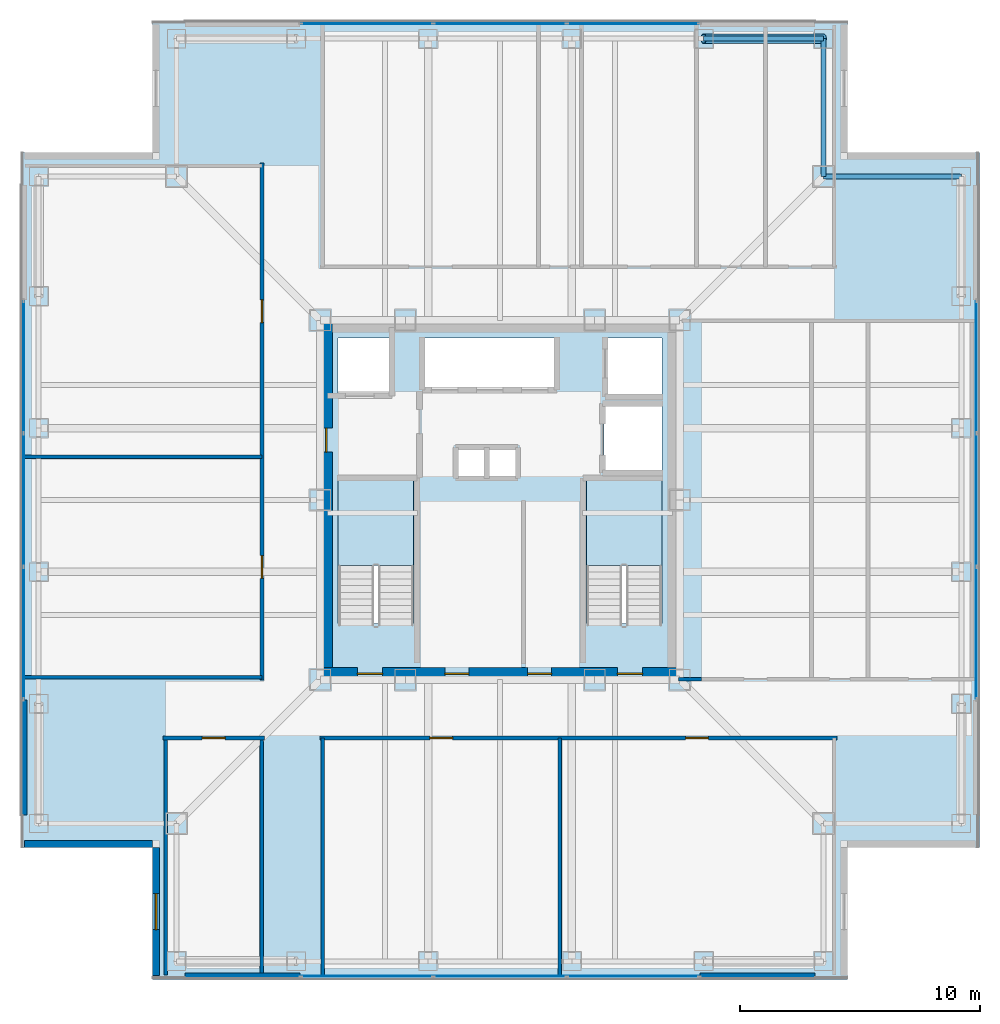
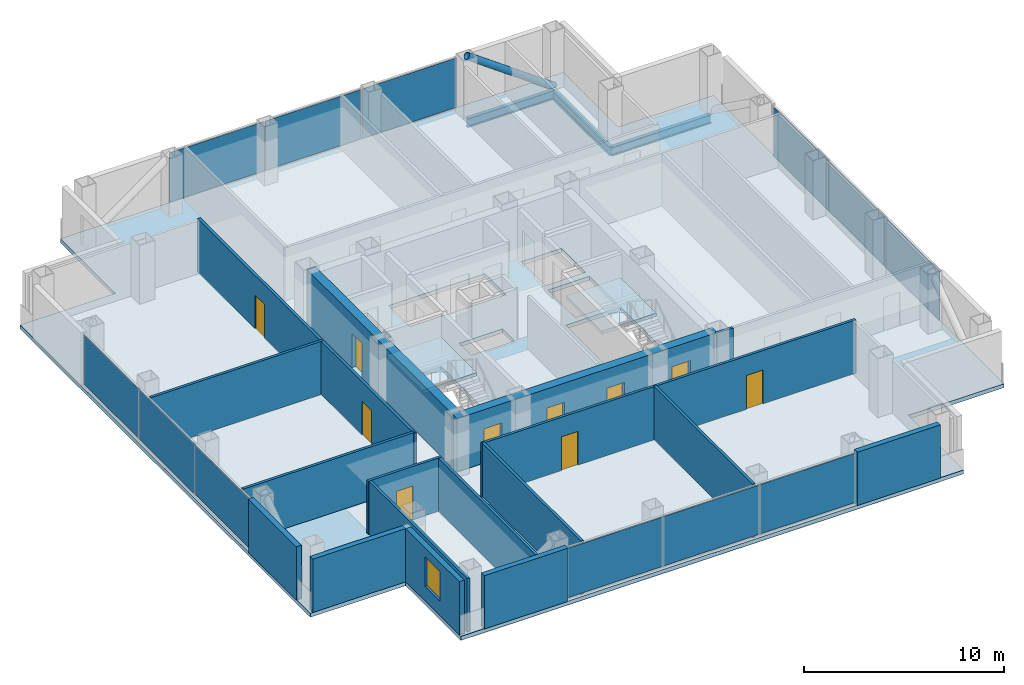
# One storey, part 8 of 16: 17 walls, 12 plates, 10 doors, 3 beams, 3 slabs, 1 member, 1 window, 11 openings, 6 elements without a shape of their own.
"""IFC4 building model written with IfcOpenShell, lengths in metres."""

from ifc_helpers import new_model, si_unit, direction, frame, frame_2d, origin, origin_2d, place, context, subcontext, project, spatial, polyline, rectangle, hollow_circle, i_section, outline, extrude, material, layer, layer_set, material_profile, profile_set, type_object, element, fill, aggregate, save


model = new_model("IFC4")

# Units and contexts
model_context = context("Model", 3, precision=1e-05, world=origin(), true_north=direction((0.0, 1.0)))
body_context = subcontext(model_context, "Body", "Model", "MODEL_VIEW")
ifc_project = project(units=[si_unit("LENGTHUNIT", "METRE"), si_unit("AREAUNIT", "SQUARE_METRE"), si_unit("VOLUMEUNIT", "CUBIC_METRE"), si_unit("PLANEANGLEUNIT", "RADIAN"), si_unit("MASSUNIT", "GRAM", prefix="KILO")], contexts=[model_context])

# Site, building, storey
site_placement = place(None, origin())
site = spatial("IfcSite", under=ifc_project, at=site_placement, CompositionType="ELEMENT")
building_placement = place(site_placement, origin())
building = spatial("IfcBuilding", under=site, at=building_placement, Name="Trevonay Congress Spire", CompositionType="ELEMENT")
storey_placement = place(building_placement, frame((0.0, 0.0, 223.800048828125)))
storey = spatial("IfcBuildingStorey", under=building, at=storey_placement, Name="L58", CompositionType="ELEMENT", Elevation=223.800048828125)

# Beams
ifc_material_1 = material(Name="Steel ASTM A572 Grade 50", Category="steel")
ifc_material_profile_1 = material_profile(ifc_material_1, i_section(OverallWidth=0.2119140625, OverallDepth=0.5439453125, WebThickness=0.01318359375, FlangeThickness=0.021240234375, FilletRadius=0.014892578125, at=origin_2d()), Name="W530x123")
ifc_profile_set_1 = profile_set([ifc_material_profile_1], Name="Steel ASTM A572 Grade 50")
beam_type = type_object("IfcBeamType", Name="BM-RING-W530X123", PredefinedType="BEAM", material=ifc_profile_set_1)
beam_placement = place(storey_placement, frame((8.5, 19.25, -0.511962890625), z_axis=(1.0, 0.0, 0.0), x_axis=(0.0, 1.0, 0.0)))
element("IfcBeam", 1, at=beam_placement, inside=storey, type_object=beam_type, Name="L58 structural beam BM-L58-PN5", PredefinedType="BEAM", context=body_context, shape_type="SweptSolid", body=[
    extrude(i_section(OverallWidth=0.2119140625, OverallDepth=0.5439453125, WebThickness=0.01318359375, FlangeThickness=0.021240234375, FilletRadius=0.014892578125, at=origin_2d()), origin(), (0.0, 0.0, 1.0), 5.0),
])
for number, where, z_axis, x_axis, name in (
    (2, (13.5, 19.25, -0.511962890625), (0.0, -1.0, 0.0), (1.0, 0.0, 0.0), "L58 structural beam BM-L58-N1NE"),
    (3, (19.25, 13.5, -0.511962890625), (-1.0, 0.0, 0.0), (0.0, -1.0, 0.0), "L58 structural beam BM-L58-N2NE"),
):
    element("IfcBeam", number, at=place(storey_placement, frame(where, z_axis=z_axis, x_axis=x_axis)), inside=storey, type_object=beam_type, Name=name, PredefinedType="BEAM", context=body_context, shape_type="SweptSolid", body=[
        extrude(i_section(OverallWidth=0.2119140625, OverallDepth=0.5439453125, WebThickness=0.01318359375, FlangeThickness=0.021240234375, FilletRadius=0.014892578125, at=origin_2d()), origin(), (0.0, 0.0, 1.0), 5.75),
    ])

# Member
ifc_material_2 = material(Name="Steel ASTM A500 Grade C", Category="steel")
ifc_material_profile_2 = material_profile(ifc_material_2, hollow_circle(Radius=0.203125, WallThickness=0.02001953125, at=origin_2d()), Name="CHS 406.4x20")
ifc_profile_set_2 = profile_set([ifc_material_profile_2], Name="Steel ASTM A500 Grade C")
member_type = type_object("IfcMemberType", Name="MBR-TUBE-CHS406", PredefinedType="BRACE", material=ifc_profile_set_2)
member_placement = place(storey_placement, frame((13.5, 19.25, -0.050048828125), z_axis=(-0.811526825515, 0.0, 0.584315164504), x_axis=(0.0, -1.0, 0.0)))
element("IfcMember", 4, at=member_placement, inside=storey, type_object=member_type, Name="L58 perimeter braced-tube diagonal N4", PredefinedType="BRACE", context=body_context, shape_type="SweptSolid", body=[
    extrude(hollow_circle(Radius=0.203125, WallThickness=0.02001953125, at=origin_2d()), origin(), (0.0, 0.0, 1.0), 6.1611328125),
])

# Curtain wall, plates
ifc_material_3 = material(Name="Pale Anodised Aluminium EN AW-6063-T6", Category="aluminium")
ifc_layer_1 = layer(ifc_material_3, 0.169921875, Name="Pale Anodised Aluminium EN AW-6063-T6")
ifc_layer_set_1 = layer_set([ifc_layer_1], Name="Pale Anodised Aluminium EN AW-6063-T6")
curtain_wall_type = type_object("IfcCurtainWallType", Name="CW-SYS04-CORP-PALE-METAL", PredefinedType="NOTDEFINED", material=ifc_layer_set_1)
curtain_wall_1_placement = place(storey_placement, origin())
curtain_wall_1 = element("IfcCurtainWall", 5, at=curtain_wall_1_placement, inside=storey, type_object=curtain_wall_type, Name="L58 S unitised curtain wall", PredefinedType="NOTDEFINED")
ifc_material_4 = material(Name="Insulated Low-E Vision Glass IGU", Category="glass")
ifc_layer_2 = layer(ifc_material_4, 0.035888671875, Name="Insulated Low-E Vision Glass IGU")
ifc_layer_set_2 = layer_set([ifc_layer_2], Name="Insulated Low-E Vision Glass IGU")
plate_type = type_object("IfcPlateType", Name="CW-PANEL-IGU36-SILVER", PredefinedType="CURTAIN_PANEL", material=ifc_layer_set_2)
plate_1_placement = place(storey_placement, frame((-5.5517578125, -19.8798828125, 0.1201171875), z_axis=(0.0, 0.0, 1.0), x_axis=(1.0, 0.0, 0.0)))
plate_1 = element("IfcPlate", 6, at=plate_1_placement, type_object=plate_type, Name="CW04 panel 1.1", PredefinedType="CURTAIN_PANEL", context=body_context, shape_type="SweptSolid", body=[
    extrude(rectangle(XDim=5.4765625, YDim=0.035888671875, at=origin_2d()), origin(), (0.0, 0.0, 1.0), 3.010009765625),
])
plate_2_placement = place(storey_placement, frame((0.0, -19.8798828125, 0.1201171875), z_axis=(0.0, 0.0, 1.0), x_axis=(1.0, 0.0, 0.0)))
plate_2 = element("IfcPlate", 7, at=plate_2_placement, type_object=plate_type, Name="CW04 panel 2.1", PredefinedType="CURTAIN_PANEL", context=body_context, shape_type="SweptSolid", body=[
    extrude(rectangle(XDim=5.506591796875, YDim=0.035888671875, at=origin_2d()), origin(), (0.0, 0.0, 1.0), 3.010009765625),
])
plate_3_placement = place(storey_placement, frame((5.5517578125, -19.8798828125, 0.1201171875), z_axis=(0.0, 0.0, 1.0), x_axis=(1.0, 0.0, 0.0)))
plate_3 = element("IfcPlate", 8, at=plate_3_placement, type_object=plate_type, Name="CW04 panel 3.1", PredefinedType="CURTAIN_PANEL", context=body_context, shape_type="SweptSolid", body=[
    extrude(rectangle(XDim=5.4765625, YDim=0.035888671875, at=origin_2d()), origin(), (0.0, 0.0, 1.0), 3.010009765625),
])
aggregate(curtain_wall_1, [plate_1, plate_2, plate_3])

curtain_wall_2_placement = place(storey_placement, origin())
curtain_wall_2 = element("IfcCurtainWall", 9, at=curtain_wall_2_placement, inside=storey, type_object=curtain_wall_type, Name="L58 N unitised curtain wall", PredefinedType="NOTDEFINED")
plate_4_placement = place(storey_placement, frame((-5.5517578125, 19.8798828125, 0.1201171875), z_axis=(0.0, 0.0, 1.0), x_axis=(1.0, 0.0, 0.0)))
plate_4 = element("IfcPlate", 10, at=plate_4_placement, type_object=plate_type, Name="CW04 panel 1.1", PredefinedType="CURTAIN_PANEL", context=body_context, shape_type="SweptSolid", body=[
    extrude(rectangle(XDim=5.4765625, YDim=0.035888671875, at=origin_2d()), origin(), (0.0, 0.0, 1.0), 3.010009765625),
])
plate_5_placement = place(storey_placement, frame((0.0, 19.8798828125, 0.1201171875), z_axis=(0.0, 0.0, 1.0), x_axis=(1.0, 0.0, 0.0)))
plate_5 = element("IfcPlate", 11, at=plate_5_placement, type_object=plate_type, Name="CW04 panel 2.1", PredefinedType="CURTAIN_PANEL", context=body_context, shape_type="SweptSolid", body=[
    extrude(rectangle(XDim=5.506591796875, YDim=0.035888671875, at=origin_2d()), origin(), (0.0, 0.0, 1.0), 3.010009765625),
])
plate_6_placement = place(storey_placement, frame((5.5517578125, 19.8798828125, 0.1201171875), z_axis=(0.0, 0.0, 1.0), x_axis=(1.0, 0.0, 0.0)))
plate_6 = element("IfcPlate", 12, at=plate_6_placement, type_object=plate_type, Name="CW04 panel 3.1", PredefinedType="CURTAIN_PANEL", context=body_context, shape_type="SweptSolid", body=[
    extrude(rectangle(XDim=5.4765625, YDim=0.035888671875, at=origin_2d()), origin(), (0.0, 0.0, 1.0), 3.010009765625),
])
aggregate(curtain_wall_2, [plate_4, plate_5, plate_6])

curtain_wall_3_placement = place(storey_placement, origin())
curtain_wall_3 = element("IfcCurtainWall", 13, at=curtain_wall_3_placement, inside=storey, type_object=curtain_wall_type, Name="L58 W unitised curtain wall", PredefinedType="NOTDEFINED")
plate_7_placement = place(storey_placement, frame((-19.8798828125, -5.5517578125, 0.1201171875), z_axis=(0.0, 0.0, 1.0), x_axis=(0.0, 1.0, 0.0)))
plate_7 = element("IfcPlate", 14, at=plate_7_placement, type_object=plate_type, Name="CW04 panel 1.1", PredefinedType="CURTAIN_PANEL", context=body_context, shape_type="SweptSolid", body=[
    extrude(rectangle(XDim=5.4765625, YDim=0.035888671875, at=origin_2d()), origin(), (0.0, 0.0, 1.0), 3.010009765625),
])
plate_8_placement = place(storey_placement, frame((-19.8798828125, 0.0, 0.1201171875), z_axis=(0.0, 0.0, 1.0), x_axis=(0.0, 1.0, 0.0)))
plate_8 = element("IfcPlate", 15, at=plate_8_placement, type_object=plate_type, Name="CW04 panel 2.1", PredefinedType="CURTAIN_PANEL", context=body_context, shape_type="SweptSolid", body=[
    extrude(rectangle(XDim=5.506591796875, YDim=0.035888671875, at=origin_2d()), origin(), (0.0, 0.0, 1.0), 3.010009765625),
])
plate_9_placement = place(storey_placement, frame((-19.8798828125, 5.5517578125, 0.1201171875), z_axis=(0.0, 0.0, 1.0), x_axis=(0.0, 1.0, 0.0)))
plate_9 = element("IfcPlate", 16, at=plate_9_placement, type_object=plate_type, Name="CW04 panel 3.1", PredefinedType="CURTAIN_PANEL", context=body_context, shape_type="SweptSolid", body=[
    extrude(rectangle(XDim=5.4765625, YDim=0.035888671875, at=origin_2d()), origin(), (0.0, 0.0, 1.0), 3.010009765625),
])
aggregate(curtain_wall_3, [plate_7, plate_8, plate_9])

curtain_wall_4_placement = place(storey_placement, origin())
curtain_wall_4 = element("IfcCurtainWall", 17, at=curtain_wall_4_placement, inside=storey, type_object=curtain_wall_type, Name="L58 E unitised curtain wall", PredefinedType="NOTDEFINED")
plate_10_placement = place(storey_placement, frame((19.8798828125, -5.5517578125, 0.1201171875), z_axis=(0.0, 0.0, 1.0), x_axis=(0.0, 1.0, 0.0)))
plate_10 = element("IfcPlate", 18, at=plate_10_placement, type_object=plate_type, Name="CW04 panel 1.1", PredefinedType="CURTAIN_PANEL", context=body_context, shape_type="SweptSolid", body=[
    extrude(rectangle(XDim=5.4765625, YDim=0.035888671875, at=origin_2d()), origin(), (0.0, 0.0, 1.0), 3.010009765625),
])
plate_11_placement = place(storey_placement, frame((19.8798828125, 0.0, 0.1201171875), z_axis=(0.0, 0.0, 1.0), x_axis=(0.0, 1.0, 0.0)))
plate_11 = element("IfcPlate", 19, at=plate_11_placement, type_object=plate_type, Name="CW04 panel 2.1", PredefinedType="CURTAIN_PANEL", context=body_context, shape_type="SweptSolid", body=[
    extrude(rectangle(XDim=5.506591796875, YDim=0.035888671875, at=origin_2d()), origin(), (0.0, 0.0, 1.0), 3.010009765625),
])
plate_12_placement = place(storey_placement, frame((19.8798828125, 5.5517578125, 0.1201171875), z_axis=(0.0, 0.0, 1.0), x_axis=(0.0, 1.0, 0.0)))
plate_12 = element("IfcPlate", 20, at=plate_12_placement, type_object=plate_type, Name="CW04 panel 3.1", PredefinedType="CURTAIN_PANEL", context=body_context, shape_type="SweptSolid", body=[
    extrude(rectangle(XDim=5.4765625, YDim=0.035888671875, at=origin_2d()), origin(), (0.0, 0.0, 1.0), 3.010009765625),
])
aggregate(curtain_wall_4, [plate_10, plate_11, plate_12])

# Stair, slab
ifc_material_5 = material(Name="Concrete C40/50", Category="concrete")
stair_type_1 = type_object("IfcStairType", Name="STR-ST-1", PredefinedType="HALF_TURN_STAIR", material=ifc_material_5)
stair_1_placement = place(storey_placement, origin())
stair_1 = element("IfcStair", 21, at=stair_1_placement, inside=storey, type_object=stair_type_1, Name="L58 Protected Exit Stair ST-1", PredefinedType="HALF_TURN_STAIR")
ifc_layer_3 = layer(ifc_material_5, 0.199951171875, Name="Concrete C40/50")
ifc_layer_set_3 = layer_set([ifc_layer_3], Name="Concrete C40/50")
slab_type_1 = type_object("IfcSlabType", Name="SLB-STAIR-LAND-200", PredefinedType="LANDING", material=ifc_layer_set_3)
slab_1_placement = place(storey_placement, frame((0.0, 0.0, 1.599853515625)))
slab_1 = element("IfcSlab", 22, at=slab_1_placement, type_object=slab_type_1, Name="ST-1 landing 1", PredefinedType="LANDING", context=body_context, shape_type="SweptSolid", body=[
    extrude(outline(polyline([(-3.60009765625, -2.72998046875), (-3.60009765625, 0.85009765625), (-6.75, 0.85009765625), (-6.75, -2.72998046875), (-3.60009765625, -2.72998046875)])), origin(), (0.0, 0.0, 1.0), 0.2001953125),
])
aggregate(stair_1, [slab_1])

stair_type_2 = type_object("IfcStairType", Name="STR-ST-2", PredefinedType="HALF_TURN_STAIR", material=ifc_material_5)
stair_2_placement = place(storey_placement, origin())
stair_2 = element("IfcStair", 23, at=stair_2_placement, inside=storey, type_object=stair_type_2, Name="L58 Protected Exit Stair ST-2", PredefinedType="HALF_TURN_STAIR")
slab_2_placement = place(storey_placement, frame((0.0, 0.0, 1.599853515625)))
slab_2 = element("IfcSlab", 24, at=slab_2_placement, type_object=slab_type_1, Name="ST-2 landing 1", PredefinedType="LANDING", context=body_context, shape_type="SweptSolid", body=[
    extrude(outline(polyline([(6.75, -2.72998046875), (6.75, 0.85009765625), (3.60009765625, 0.85009765625), (3.60009765625, -2.72998046875), (6.75, -2.72998046875)])), origin(), (0.0, 0.0, 1.0), 0.2001953125),
])
aggregate(stair_2, [slab_2])

# Slab
ifc_layer_4 = layer(ifc_material_5, 0.239990234375, Name="Concrete C40/50")
ifc_layer_set_4 = layer_set([ifc_layer_4], Name="Concrete C40/50")
slab_type_2 = type_object("IfcSlabType", Name="SLB-TOW2-240", PredefinedType="FLOOR", material=ifc_layer_set_4)
slab_3_placement = place(storey_placement, frame((0.0, 0.0, -0.239990234375)))
element("IfcSlab", 25, at=slab_3_placement, inside=storey, type_object=slab_type_2, Name="L58 structural floor slab", PredefinedType="FLOOR", context=body_context, shape_type="SweptSolid", body=[
    extrude(outline(polyline([(-14.5, -20.0), (14.5, -20.0), (14.5, -14.5), (20.0, -14.5), (20.0, 14.5), (14.5, 14.5), (14.5, 20.0), (-14.5, 20.0), (-14.5, 14.5), (-20.0, 14.5), (-20.0, -14.5), (-14.5, -14.5), (-14.5, -20.0)]), holes=[polyline([(-3.60009765625, -5.14990234375), (-3.60009765625, 0.85009765625), (-6.75, 0.85009765625), (-6.75, -5.14990234375), (-3.60009765625, -5.14990234375)]), polyline([(6.75, -5.14990234375), (6.75, 0.85009765625), (3.60009765625, 0.85009765625), (3.60009765625, -5.14990234375), (6.75, -5.14990234375)]), polyline([(-3.199951171875, 4.64990234375), (2.340087890625, 4.64990234375), (2.340087890625, 6.75), (-3.199951171875, 6.75), (-3.199951171875, 4.64990234375)]), polyline([(-6.75, 4.35009765625), (-4.449951171875, 4.35009765625), (-4.449951171875, 6.75), (-6.75, 6.75), (-6.75, 4.35009765625)]), polyline([(4.449951171875, 4.35009765625), (6.75, 4.35009765625), (6.75, 6.75), (4.449951171875, 6.75), (4.449951171875, 4.35009765625)]), polyline([(4.35009765625, 1.199951171875), (6.75, 1.199951171875), (6.75, 3.949951171875), (4.35009765625, 3.949951171875), (4.35009765625, 1.199951171875)]), polyline([(-1.800048828125, 0.949951171875), (0.699951171875, 0.949951171875), (0.699951171875, 2.14990234375), (-1.800048828125, 2.14990234375), (-1.800048828125, 0.949951171875)])]), origin(), (0.0, 0.0, 1.0), 0.239990234375),
])

# Wall, openings, doors
ifc_material_6 = material(Name="Concrete C50/60", Category="concrete")
ifc_layer_5 = layer(ifc_material_6, 0.5, Name="Concrete C50/60")
ifc_layer_set_5 = layer_set([ifc_layer_5], Name="Concrete C50/60")
wall_type_1 = type_object("IfcWallType", Name="WAL-CORE-500", PredefinedType="SHEAR", material=ifc_layer_set_5)
wall_1_placement = place(storey_placement, frame((-7.5, -7.25, 0.0), z_axis=(0.0, 0.0, 1.0), x_axis=(1.0, 0.0, 0.0)))
wall_1 = element("IfcWall", 26, at=wall_1_placement, inside=storey, type_object=wall_type_1, Name="L58 South structural core shear wall", PredefinedType="SHEAR", context=body_context, shape_type="SweptSolid", body=[
    extrude(rectangle(XDim=15.0, YDim=0.5, at=frame_2d((7.5, 0.0))), origin(), (0.0, 0.0, 1.0), 3.25),
])
opening_1_placement = place(wall_1_placement, frame((1.550048828125, 0.0, 0.0)))
opening_1 = element("IfcOpeningElement", 27, at=opening_1_placement, cuts=wall_1, Name="Opening D05", PredefinedType="OPENING", context=body_context, shape_type="SweptSolid", body=[
    extrude(rectangle(XDim=1.050048828125, YDim=2.080078125, at=frame_2d((0.52490234375, 1.0400390625))), frame((0.0, 0.260009765625, 0.0), z_axis=(0.0, -1.0, 0.0), x_axis=(1.0, 0.0, 0.0)), (0.0, 0.0, 1.0), 0.52001953125),
])
opening_2_placement = place(wall_1_placement, frame((12.39990234375, 0.0, 0.0)))
opening_2 = element("IfcOpeningElement", 28, at=opening_2_placement, cuts=wall_1, Name="Opening D05", PredefinedType="OPENING", context=body_context, shape_type="SweptSolid", body=[
    extrude(rectangle(XDim=1.050048828125, YDim=2.080078125, at=frame_2d((0.52490234375, 1.0400390625))), frame((0.0, 0.260009765625, 0.0), z_axis=(0.0, -1.0, 0.0), x_axis=(1.0, 0.0, 0.0)), (0.0, 0.0, 1.0), 0.52001953125),
])
opening_3_placement = place(wall_1_placement, frame((5.199951171875, 0.0, 0.0)))
opening_3 = element("IfcOpeningElement", 29, at=opening_3_placement, cuts=wall_1, Name="Opening D06", PredefinedType="OPENING", context=body_context, shape_type="SweptSolid", body=[
    extrude(rectangle(XDim=1.0, YDim=2.080078125, at=frame_2d((0.5, 1.0400390625))), frame((0.0, 0.260009765625, 0.0), z_axis=(0.0, -1.0, 0.0), x_axis=(1.0, 0.0, 0.0)), (0.0, 0.0, 1.0), 0.52001953125),
])
opening_4_placement = place(wall_1_placement, frame((8.64990234375, 0.0, 0.0)))
opening_4 = element("IfcOpeningElement", 30, at=opening_4_placement, cuts=wall_1, Name="Opening D06", PredefinedType="OPENING", context=body_context, shape_type="SweptSolid", body=[
    extrude(rectangle(XDim=1.0, YDim=2.080078125, at=frame_2d((0.5, 1.0400390625))), frame((0.0, 0.260009765625, 0.0), z_axis=(0.0, -1.0, 0.0), x_axis=(1.0, 0.0, 0.0)), (0.0, 0.0, 1.0), 0.52001953125),
])
door_type_1 = type_object("IfcDoorType", Name="DOR-FIRE-100", OperationType="NOTDEFINED", PredefinedType="DOOR", material=ifc_material_1)
door_1_placement = place(opening_3_placement, origin())
door_1 = element("IfcDoor", 31, at=door_1_placement, inside=storey, type_object=door_type_1, Name="L58 South Core Room 1 Door", OperationType="SINGLE_SWING_LEFT", OverallHeight=2.080078125, OverallWidth=1.0, PredefinedType="DOOR", context=body_context, shape_type="SweptSolid", body=[
    extrude(rectangle(XDim=1.0, YDim=2.080078125, at=frame_2d((0.5, 1.0400390625))), frame((0.0, 0.02490234375, 0.0), z_axis=(0.0, -1.0, 0.0), x_axis=(1.0, 0.0, 0.0)), (0.0, 0.0, 1.0), 0.050048828125),
])
fill(opening_3, door_1)
door_2_placement = place(opening_4_placement, origin())
door_2 = element("IfcDoor", 32, at=door_2_placement, inside=storey, type_object=door_type_1, Name="L58 South Core Room 2 Door", OperationType="SINGLE_SWING_RIGHT", OverallHeight=2.080078125, OverallWidth=1.0, PredefinedType="DOOR", context=body_context, shape_type="SweptSolid", body=[
    extrude(rectangle(XDim=1.0, YDim=2.080078125, at=frame_2d((0.5, 1.0400390625))), frame((0.0, 0.02490234375, 0.0), z_axis=(0.0, -1.0, 0.0), x_axis=(1.0, 0.0, 0.0)), (0.0, 0.0, 1.0), 0.050048828125),
])
fill(opening_4, door_2)
door_type_2 = type_object("IfcDoorType", Name="DOR-STAIR-110", OperationType="NOTDEFINED", PredefinedType="DOOR", material=ifc_material_1)
door_3_placement = place(opening_1_placement, origin())
door_3 = element("IfcDoor", 33, at=door_3_placement, inside=storey, type_object=door_type_2, Name="L58 Protected Stair ST-1 Door", OperationType="SINGLE_SWING_RIGHT", OverallHeight=2.080078125, OverallWidth=1.050048828125, PredefinedType="DOOR", context=body_context, shape_type="SweptSolid", body=[
    extrude(rectangle(XDim=1.050048828125, YDim=2.080078125, at=frame_2d((0.52490234375, 1.0400390625))), frame((0.0, 0.02490234375, 0.0), z_axis=(0.0, -1.0, 0.0), x_axis=(1.0, 0.0, 0.0)), (0.0, 0.0, 1.0), 0.050048828125),
])
fill(opening_1, door_3)
door_4_placement = place(opening_2_placement, origin())
door_4 = element("IfcDoor", 34, at=door_4_placement, inside=storey, type_object=door_type_2, Name="L58 Protected Stair ST-2 Door", OperationType="SINGLE_SWING_LEFT", OverallHeight=2.080078125, OverallWidth=1.050048828125, PredefinedType="DOOR", context=body_context, shape_type="SweptSolid", body=[
    extrude(rectangle(XDim=1.050048828125, YDim=2.080078125, at=frame_2d((0.52490234375, 1.0400390625))), frame((0.0, 0.02490234375, 0.0), z_axis=(0.0, -1.0, 0.0), x_axis=(1.0, 0.0, 0.0)), (0.0, 0.0, 1.0), 0.050048828125),
])
fill(opening_2, door_4)

# Wall, opening, door
wall_2_placement = place(storey_placement, frame((-7.25, -7.5, 0.0), z_axis=(0.0, 0.0, 1.0), x_axis=(0.0, 1.0, 0.0)))
wall_2 = element("IfcWall", 35, at=wall_2_placement, inside=storey, type_object=wall_type_1, Name="L58 West structural core shear wall", PredefinedType="SHEAR", context=body_context, shape_type="SweptSolid", body=[
    extrude(rectangle(XDim=15.0, YDim=0.5, at=frame_2d((7.5, 0.0))), origin(), (0.0, 0.0, 1.0), 3.25),
])
opening_5_placement = place(wall_2_placement, frame((9.5, 0.0, 0.0)))
opening_5 = element("IfcOpeningElement", 36, at=opening_5_placement, cuts=wall_2, Name="Opening D06", PredefinedType="OPENING", context=body_context, shape_type="SweptSolid", body=[
    extrude(rectangle(XDim=1.0, YDim=2.080078125, at=frame_2d((0.5, 1.0400390625))), frame((0.0, 0.260009765625, 0.0), z_axis=(0.0, -1.0, 0.0), x_axis=(1.0, 0.0, 0.0)), (0.0, 0.0, 1.0), 0.52001953125),
])
door_5_placement = place(opening_5_placement, origin())
door_5 = element("IfcDoor", 37, at=door_5_placement, inside=storey, type_object=door_type_1, Name="L58 Firefighting Lift Lobby West Corridor Door", OperationType="SINGLE_SWING_RIGHT", OverallHeight=2.080078125, OverallWidth=1.0, PredefinedType="DOOR", context=body_context, shape_type="SweptSolid", body=[
    extrude(rectangle(XDim=1.0, YDim=2.080078125, at=frame_2d((0.5, 1.0400390625))), frame((0.0, 0.02490234375, 0.0), z_axis=(0.0, -1.0, 0.0), x_axis=(1.0, 0.0, 0.0)), (0.0, 0.0, 1.0), 0.050048828125),
])
fill(opening_5, door_5)

ifc_layer_6 = layer(ifc_material_5, 0.14990234375, Name="Concrete C40/50")
ifc_layer_set_6 = layer_set([ifc_layer_6], Name="Concrete C40/50")
wall_type_2 = type_object("IfcWallType", Name="WAL-CORR-150", PredefinedType="PARTITIONING", material=ifc_layer_set_6)
wall_3_placement = place(storey_placement, frame((-14.070068359375, -9.929931640625, 0.0), z_axis=(0.0, 0.0, 1.0), x_axis=(1.0, 0.0, 0.0)))
wall_3 = element("IfcWall", 38, at=wall_3_placement, inside=storey, type_object=wall_type_2, Name="L58 interior wall WP-L58SW-COR", PredefinedType="PARTITIONING", context=body_context, shape_type="SweptSolid", body=[
    extrude(rectangle(XDim=4.239990234375, YDim=0.14990234375, at=frame_2d((2.1201171875, 0.0))), origin(), (0.0, 0.0, 1.0), 3.25),
])
opening_6_placement = place(wall_3_placement, frame((1.64501953125, 0.0, 0.0)))
opening_6 = element("IfcOpeningElement", 39, at=opening_6_placement, cuts=wall_3, Name="Opening D07", PredefinedType="OPENING", context=body_context, shape_type="SweptSolid", body=[
    extrude(rectangle(XDim=0.949951171875, YDim=2.06005859375, at=frame_2d((0.47509765625, 1.030029296875))), frame((0.0, 0.0849609375, 0.0), z_axis=(0.0, -1.0, 0.0), x_axis=(1.0, 0.0, 0.0)), (0.0, 0.0, 1.0), 0.169921875),
])
door_type_3 = type_object("IfcDoorType", Name="DOR-OFFICE-95", OperationType="NOTDEFINED", PredefinedType="DOOR", material=ifc_material_3)
door_6_placement = place(opening_6_placement, origin())
door_6 = element("IfcDoor", 40, at=door_6_placement, inside=storey, type_object=door_type_3, Name="L58 VIP Buyer Reception Salon Door", OperationType="SINGLE_SWING_RIGHT", OverallHeight=2.06005859375, OverallWidth=0.949951171875, PredefinedType="DOOR", context=body_context, shape_type="SweptSolid", body=[
    extrude(rectangle(XDim=0.949951171875, YDim=2.06005859375, at=frame_2d((0.47509765625, 1.030029296875))), frame((0.0, 0.02490234375, 0.0), z_axis=(0.0, -1.0, 0.0), x_axis=(1.0, 0.0, 0.0)), (0.0, 0.0, 1.0), 0.050048828125),
])
fill(opening_6, door_6)

# Wall, openings, doors
wall_4_placement = place(storey_placement, frame((-7.52001953125, -9.929931640625, 0.0), z_axis=(0.0, 0.0, 1.0), x_axis=(1.0, 0.0, 0.0)))
wall_4 = element("IfcWall", 41, at=wall_4_placement, inside=storey, type_object=wall_type_2, Name="L58 interior wall WP-L58SE-COR", PredefinedType="PARTITIONING", context=body_context, shape_type="SweptSolid", body=[
    extrude(rectangle(XDim=21.590087890625, YDim=0.14990234375, at=frame_2d((10.794921875, 0.0))), origin(), (0.0, 0.0, 1.0), 3.25),
])
opening_7_placement = place(wall_4_placement, frame((4.594970703125, 0.0, 0.0)))
opening_7 = element("IfcOpeningElement", 42, at=opening_7_placement, cuts=wall_4, Name="Opening D07", PredefinedType="OPENING", context=body_context, shape_type="SweptSolid", body=[
    extrude(rectangle(XDim=0.949951171875, YDim=2.06005859375, at=frame_2d((0.47509765625, 1.030029296875))), frame((0.0, 0.0849609375, 0.0), z_axis=(0.0, -1.0, 0.0), x_axis=(1.0, 0.0, 0.0)), (0.0, 0.0, 1.0), 0.169921875),
])
opening_8_placement = place(wall_4_placement, frame((15.27001953125, 0.0, 0.0)))
opening_8 = element("IfcOpeningElement", 43, at=opening_8_placement, cuts=wall_4, Name="Opening D07", PredefinedType="OPENING", context=body_context, shape_type="SweptSolid", body=[
    extrude(rectangle(XDim=0.949951171875, YDim=2.06005859375, at=frame_2d((0.47509765625, 1.030029296875))), frame((0.0, 0.0849609375, 0.0), z_axis=(0.0, -1.0, 0.0), x_axis=(1.0, 0.0, 0.0)), (0.0, 0.0, 1.0), 0.169921875),
])
door_7_placement = place(opening_7_placement, origin())
door_7 = element("IfcDoor", 44, at=door_7_placement, inside=storey, type_object=door_type_3, Name="L58 Brazilian Design Flagship Showroom Shop Door", OperationType="SINGLE_SWING_LEFT", OverallHeight=2.06005859375, OverallWidth=0.949951171875, PredefinedType="DOOR", context=body_context, shape_type="SweptSolid", body=[
    extrude(rectangle(XDim=0.949951171875, YDim=2.06005859375, at=frame_2d((0.47509765625, 1.030029296875))), frame((0.0, 0.02490234375, 0.0), z_axis=(0.0, -1.0, 0.0), x_axis=(1.0, 0.0, 0.0)), (0.0, 0.0, 1.0), 0.050048828125),
])
fill(opening_7, door_7)
door_8_placement = place(opening_8_placement, origin())
door_8 = element("IfcDoor", 45, at=door_8_placement, inside=storey, type_object=door_type_3, Name="L58 Export Craft Boutique Shop Door", OperationType="SINGLE_SWING_RIGHT", OverallHeight=2.06005859375, OverallWidth=0.949951171875, PredefinedType="DOOR", context=body_context, shape_type="SweptSolid", body=[
    extrude(rectangle(XDim=0.949951171875, YDim=2.06005859375, at=frame_2d((0.47509765625, 1.030029296875))), frame((0.0, 0.02490234375, 0.0), z_axis=(0.0, -1.0, 0.0), x_axis=(1.0, 0.0, 0.0)), (0.0, 0.0, 1.0), 0.050048828125),
])
fill(opening_8, door_8)

wall_5_placement = place(storey_placement, frame((-9.929931640625, -7.52001953125, 0.0), z_axis=(0.0, 0.0, 1.0), x_axis=(0.0, 1.0, 0.0)))
wall_5 = element("IfcWall", 46, at=wall_5_placement, inside=storey, type_object=wall_type_2, Name="L58 interior wall WP-L58NW-COR", PredefinedType="PARTITIONING", context=body_context, shape_type="SweptSolid", body=[
    extrude(rectangle(XDim=21.590087890625, YDim=0.14990234375, at=frame_2d((10.794921875, 0.0))), origin(), (0.0, 0.0, 1.0), 3.25),
])
opening_9_placement = place(wall_5_placement, frame((4.2451171875, 0.0, 0.0)))
opening_9 = element("IfcOpeningElement", 47, at=opening_9_placement, cuts=wall_5, Name="Opening D07", PredefinedType="OPENING", context=body_context, shape_type="SweptSolid", body=[
    extrude(rectangle(XDim=0.949951171875, YDim=2.06005859375, at=frame_2d((0.47509765625, 1.030029296875))), frame((0.0, 0.0849609375, 0.0), z_axis=(0.0, -1.0, 0.0), x_axis=(1.0, 0.0, 0.0)), (0.0, 0.0, 1.0), 0.169921875),
])
opening_10_placement = place(wall_5_placement, frame((14.919921875, 0.0, 0.0)))
opening_10 = element("IfcOpeningElement", 48, at=opening_10_placement, cuts=wall_5, Name="Opening D07", PredefinedType="OPENING", context=body_context, shape_type="SweptSolid", body=[
    extrude(rectangle(XDim=0.949951171875, YDim=2.06005859375, at=frame_2d((0.47509765625, 1.030029296875))), frame((0.0, 0.0849609375, 0.0), z_axis=(0.0, -1.0, 0.0), x_axis=(1.0, 0.0, 0.0)), (0.0, 0.0, 1.0), 0.169921875),
])
door_9_placement = place(opening_9_placement, origin())
door_9 = element("IfcDoor", 49, at=door_9_placement, inside=storey, type_object=door_type_3, Name="L58 Architectural Stone Gallery Shop Door", OperationType="SINGLE_SWING_LEFT", OverallHeight=2.06005859375, OverallWidth=0.949951171875, PredefinedType="DOOR", context=body_context, shape_type="SweptSolid", body=[
    extrude(rectangle(XDim=0.949951171875, YDim=2.06005859375, at=frame_2d((0.47509765625, 1.030029296875))), frame((0.0, 0.02490234375, 0.0), z_axis=(0.0, -1.0, 0.0), x_axis=(1.0, 0.0, 0.0)), (0.0, 0.0, 1.0), 0.050048828125),
])
fill(opening_9, door_9)
door_10_placement = place(opening_10_placement, origin())
door_10 = element("IfcDoor", 50, at=door_10_placement, inside=storey, type_object=door_type_3, Name="L58 Marine Instruments Showroom Shop Door", OperationType="SINGLE_SWING_RIGHT", OverallHeight=2.06005859375, OverallWidth=0.949951171875, PredefinedType="DOOR", context=body_context, shape_type="SweptSolid", body=[
    extrude(rectangle(XDim=0.949951171875, YDim=2.06005859375, at=frame_2d((0.47509765625, 1.030029296875))), frame((0.0, 0.02490234375, 0.0), z_axis=(0.0, -1.0, 0.0), x_axis=(1.0, 0.0, 0.0)), (0.0, 0.0, 1.0), 0.050048828125),
])
fill(opening_10, door_10)

# Walls
wall_6_placement = place(storey_placement, frame((7.449951171875, -7.47998046875, 0.0), z_axis=(0.0, 0.0, 1.0), x_axis=(1.0, 0.0, 0.0)))
element("IfcWall", 51, at=wall_6_placement, inside=storey, type_object=wall_type_2, Name="L58 interior wall WP-L58E-STUB", PredefinedType="PARTITIONING", context=body_context, shape_type="SweptSolid", body=[
    extrude(rectangle(XDim=0.949951171875, YDim=0.14990234375, at=frame_2d((0.47509765625, 0.0))), origin(), (0.0, 0.0, 1.0), 3.25),
])
ifc_material_7 = material(Name="Precast concrete C40/50", Category="concrete")
ifc_layer_7 = layer(ifc_material_7, 0.300048828125, Name="Precast concrete C40/50")
ifc_layer_set_7 = layer_set([ifc_layer_7], Name="Precast concrete C40/50")
wall_type_3 = type_object("IfcWallType", Name="WAL-EXT-PRECAST-300", PredefinedType="SOLIDWALL", material=ifc_layer_set_7)
for number, where, z_axis, x_axis, name in (
    (52, (-13.14990234375, -19.8798828125, 0.0), (0.0, 0.0, 1.0), (1.0, 0.0, 0.0), "L58 SL braced-bay exterior pier wall"),
    (53, (8.35009765625, -19.8798828125, 0.0), (0.0, 0.0, 1.0), (1.0, 0.0, 0.0), "L58 SR braced-bay exterior pier wall"),
    (54, (-19.8798828125, -13.14990234375, 0.0), (0.0, 0.0, 1.0), (0.0, 1.0, 0.0), "L58 WL braced-bay exterior pier wall"),
):
    element("IfcWall", number, at=place(storey_placement, frame(where, z_axis=z_axis, x_axis=x_axis)), inside=storey, type_object=wall_type_3, Name=name, PredefinedType="SOLIDWALL", context=body_context, shape_type="SweptSolid", body=[
        extrude(rectangle(XDim=4.7998046875, YDim=0.300048828125, at=frame_2d((2.39990234375, 0.0))), origin(), (0.0, 0.0, 1.0), 3.25),
    ])

# Wall, opening, window
wall_7_placement = place(storey_placement, frame((-14.35009765625, -19.85009765625, 0.0), z_axis=(0.0, 0.0, 1.0), x_axis=(0.0, 1.0, 0.0)))
wall_7 = element("IfcWall", 55, at=wall_7_placement, inside=storey, type_object=wall_type_3, Name="L58 SW re-entrant notch exterior wall 1", PredefinedType="SOLIDWALL", context=body_context, shape_type="SweptSolid", body=[
    extrude(rectangle(XDim=5.35009765625, YDim=0.300048828125, at=frame_2d((2.675048828125, 0.0))), origin(), (0.0, 0.0, 1.0), 3.25),
])
opening_11_placement = place(wall_7_placement, frame((1.925048828125, 0.0, 0.89990234375)))
opening_11 = element("IfcOpeningElement", 56, at=opening_11_placement, cuts=wall_7, Name="Opening WN03", PredefinedType="OPENING", context=body_context, shape_type="SweptSolid", body=[
    extrude(rectangle(XDim=1.5, YDim=1.800048828125, at=frame_2d((0.75, 0.89990234375))), frame((0.0, 0.16015625, 0.0), z_axis=(0.0, -1.0, 0.0), x_axis=(1.0, 0.0, 0.0)), (0.0, 0.0, 1.0), 0.320068359375),
])
window_type = type_object("IfcWindowType", Name="WIN-NOTCH-150X180", PartitioningType="SINGLE_PANEL", PredefinedType="WINDOW", material=ifc_material_4)
window_placement = place(opening_11_placement, origin())
window = element("IfcWindow", 57, at=window_placement, inside=storey, type_object=window_type, Name="L58 SW corner notch window", OverallHeight=1.800048828125, OverallWidth=1.5, PartitioningType="SINGLE_PANEL", PredefinedType="WINDOW", context=body_context, shape_type="SweptSolid", body=[
    extrude(rectangle(XDim=1.5, YDim=1.800048828125, at=frame_2d((0.75, 0.89990234375))), frame((0.0, 0.030029296875, 0.0), z_axis=(0.0, -1.0, 0.0), x_axis=(1.0, 0.0, 0.0)), (0.0, 0.0, 1.0), 0.06005859375),
])
fill(opening_11, window)

# Walls
wall_8_placement = place(storey_placement, frame((-19.85009765625, -14.35009765625, 0.0), z_axis=(0.0, 0.0, 1.0), x_axis=(1.0, 0.0, 0.0)))
element("IfcWall", 58, at=wall_8_placement, inside=storey, type_object=wall_type_3, Name="L58 SW re-entrant notch exterior wall 2", PredefinedType="SOLIDWALL", context=body_context, shape_type="SweptSolid", body=[
    extrude(rectangle(XDim=5.35009765625, YDim=0.300048828125, at=frame_2d((2.675048828125, 0.0))), origin(), (0.0, 0.0, 1.0), 3.25),
])
ifc_layer_8 = layer(ifc_material_5, 0.14990234375, Name="Concrete C40/50")
ifc_layer_set_8 = layer_set([ifc_layer_8], Name="Concrete C40/50")
wall_type_4 = type_object("IfcWallType", Name="WAL-PART-150", PredefinedType="PARTITIONING", material=ifc_layer_set_8)
for number, where, z_axis, x_axis, name in (
    (59, (-13.949951171875, -19.820068359375, 0.0), (0.0, 0.0, 1.0), (0.0, 1.0, 0.0), "L58 interior wall WP-L58SW-DIV1"),
    (60, (-9.949951171875, -19.820068359375, 0.0), (0.0, 0.0, 1.0), (0.0, 1.0, 0.0), "L58 interior wall WP-L58SW-DIV2"),
    (61, (-7.39990234375, -19.820068359375, 0.0), (0.0, 0.0, 1.0), (0.0, 1.0, 0.0), "L58 interior wall WP-L58SE-DIV1"),
    (62, (2.5, -19.820068359375, 0.0), (0.0, 0.0, 1.0), (0.0, 1.0, 0.0), "L58 interior wall WP-L58SE-DIV2"),
    (63, (-19.820068359375, -7.39990234375, 0.0), (0.0, 0.0, 1.0), (1.0, 0.0, 0.0), "L58 interior wall WP-L58NW-DIV1"),
    (64, (-19.820068359375, 1.800048828125, 0.0), (0.0, 0.0, 1.0), (1.0, 0.0, 0.0), "L58 interior wall WP-L58NW-DIV2"),
):
    element("IfcWall", number, at=place(storey_placement, frame(where, z_axis=z_axis, x_axis=x_axis)), inside=storey, type_object=wall_type_4, Name=name, PredefinedType="PARTITIONING", context=body_context, shape_type="SweptSolid", body=[
        extrude(rectangle(XDim=9.89013671875, YDim=0.14990234375, at=frame_2d((4.945068359375, 0.0))), origin(), (0.0, 0.0, 1.0), 3.25),
    ])

save(model, "model.ifc")
